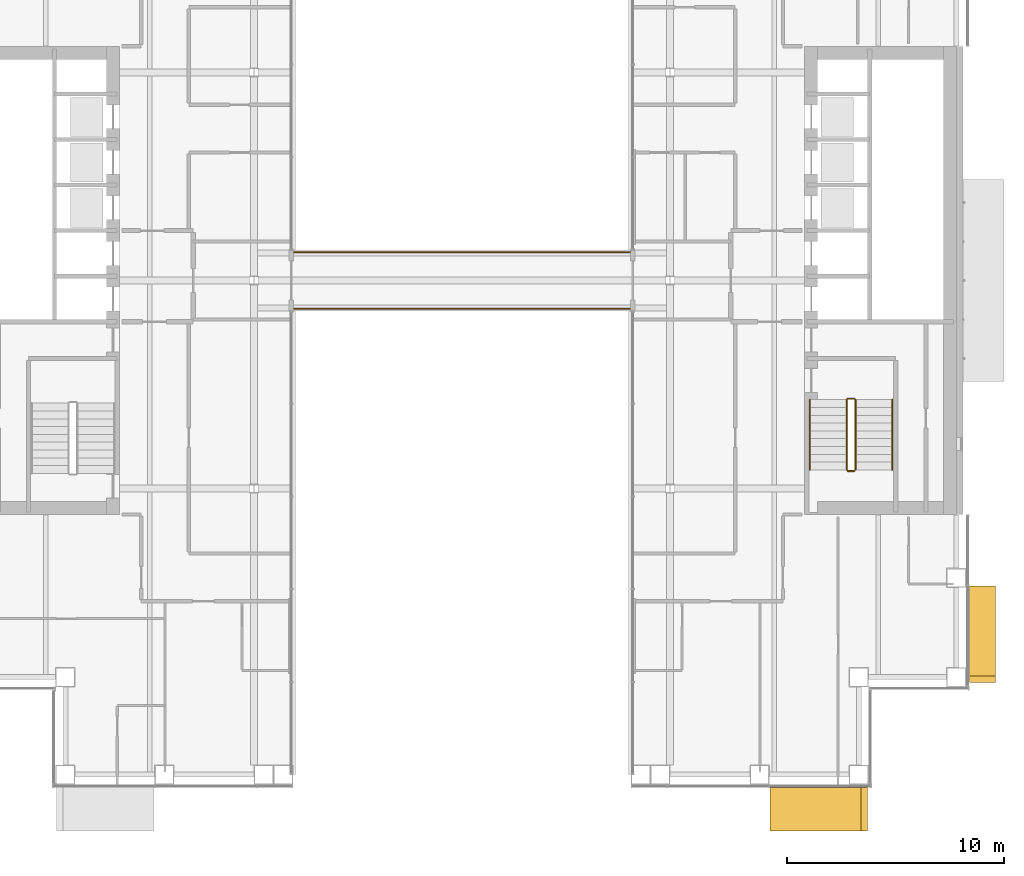
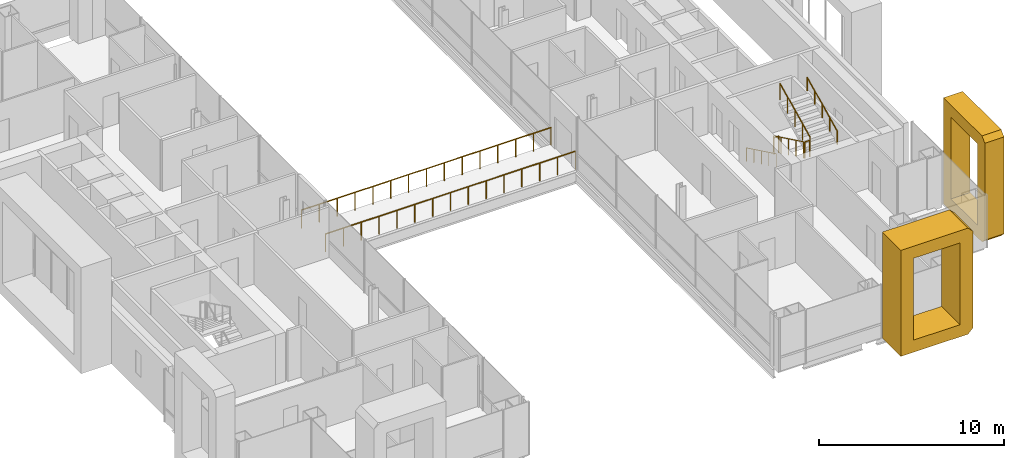
# One storey, part 17 of 20: 8 railings, 2 coverings.
"""IFC4 building model written with IfcOpenShell, lengths in metres."""

from ifc_helpers import new_model, si_unit, direction, frame, origin, origin_2d, place, context, subcontext, project, spatial, polyline, circle, outline, extrude, material, type_object, element, save


model = new_model("IFC4")

# Units and contexts
model_context = context("Model", 3, precision=1e-05, world=origin(), true_north=direction((0.0, 1.0)))
body_context = subcontext(model_context, "Body", "Model", "MODEL_VIEW")
ifc_project = project(units=[si_unit("LENGTHUNIT", "METRE"), si_unit("AREAUNIT", "SQUARE_METRE"), si_unit("VOLUMEUNIT", "CUBIC_METRE"), si_unit("PLANEANGLEUNIT", "RADIAN"), si_unit("MASSUNIT", "GRAM", prefix="KILO")], contexts=[model_context])

# Site, building, storey
site_placement = place(None, origin())
site = spatial("IfcSite", under=ifc_project, at=site_placement, CompositionType="ELEMENT")
building_placement = place(site_placement, origin())
building = spatial("IfcBuilding", under=site, at=building_placement, Name="Cobrizo Arcos Hotel Tower", CompositionType="ELEMENT")
storey_placement = place(building_placement, frame((0.0, 0.0, 124.0)))
storey = spatial("IfcBuildingStorey", under=building, at=storey_placement, Name="L31", CompositionType="ELEMENT", Elevation=124.0)

# Coverings
ifc_material_1 = material(Name="Aluminium 6063-T6 anodised bronze", Category="aluminium")
covering_type_1 = type_object("IfcCoveringType", Name="FIN-F 1200", PredefinedType="CLADDING", material=ifc_material_1)
covering_1_placement = place(storey_placement, frame((23.39990234375, -18.550048828125, 0.0), z_axis=(1.0, 0.0, 0.0), x_axis=(0.0, 1.0, 0.0)))
element("IfcCovering", 1, at=covering_1_placement, inside=storey, type_object=covering_type_1, Name="Fin frame 123", PredefinedType="CLADDING", context=body_context, shape_type="SweptSolid", body=[
    extrude(outline(polyline([(0.0, 0.300048828125), (0.300048828125, 0.0), (4.46240234375, 0.0), (4.46240234375, 7.0), (0.300048828125, 7.0), (0.0, 6.699951171875), (0.0, 0.300048828125)]), holes=[polyline([(3.66259765625, 0.800048828125), (0.800048828125, 0.800048828125), (0.800048828125, 6.199951171875), (3.66259765625, 6.199951171875), (3.66259765625, 0.800048828125)])]), origin(), (0.0, 0.0, 1.0), 1.2001953125),
])
covering_type_2 = type_object("IfcCoveringType", Name="FIN-F 2000", PredefinedType="CLADDING", material=ifc_material_1)
covering_2_placement = place(storey_placement, frame((14.199951171875, -23.39990234375, 0.0), z_axis=(0.0, -1.0, 0.0), x_axis=(1.0, 0.0, 0.0)))
element("IfcCovering", 2, at=covering_2_placement, inside=storey, type_object=covering_type_2, Name="Fin frame 146", PredefinedType="CLADDING", context=body_context, shape_type="SweptSolid", body=[
    extrude(outline(polyline([(0.0, 7.0), (0.0, 0.0), (4.199951171875, 0.0), (4.5, 0.300048828125), (4.5, 6.699951171875), (4.199951171875, 7.0), (0.0, 7.0)]), holes=[polyline([(3.699951171875, 0.800048828125), (0.800048828125, 0.800048828125), (0.800048828125, 6.199951171875), (3.699951171875, 6.199951171875), (3.699951171875, 0.800048828125)])]), origin(), (0.0, 0.0, 1.0), 2.0),
])

# Railings
ifc_material_2 = material(Name="Stainless steel railing", Category="steel")
railing_type_1 = type_object("IfcRailingType", Name="Sky bridge guard 1200", PredefinedType="GUARDRAIL", material=ifc_material_2)
railing_1_placement = place(storey_placement, frame((-7.800048828125, 1.300048828125, 0.0)))
element("IfcRailing", 3, at=railing_1_placement, inside=storey, type_object=railing_type_1, Name="Sky bridge north guard", PredefinedType="GUARDRAIL", context=body_context, shape_type="SweptSolid", body=[
    extrude(circle(Radius=0.02392578125, at=origin_2d()), frame((0.0, 0.0, 1.17578125), z_axis=(1.0, 0.0, 0.0), x_axis=(0.0, 1.0, 0.0)), (0.0, 0.0, 1.0), 15.60009765625),
    extrude(circle(Radius=0.02099609375, at=origin_2d()), origin(), (0.0, 0.0, 1.0), 1.15185546875),
    extrude(circle(Radius=0.02099609375, at=origin_2d()), frame((1.1142578125, 0.0, 0.0)), (0.0, 0.0, 1.0), 1.15185546875),
    extrude(circle(Radius=0.02099609375, at=origin_2d()), frame((2.228515625, 0.0, 0.0)), (0.0, 0.0, 1.0), 1.15185546875),
    extrude(circle(Radius=0.02099609375, at=origin_2d()), frame((3.3427734375, 0.0, 0.0)), (0.0, 0.0, 1.0), 1.15185546875),
    extrude(circle(Radius=0.02099609375, at=origin_2d()), frame((4.457275390625, 0.0, 0.0)), (0.0, 0.0, 1.0), 1.15185546875),
    extrude(circle(Radius=0.02099609375, at=origin_2d()), frame((5.571533203125, 0.0, 0.0)), (0.0, 0.0, 1.0), 1.15185546875),
    extrude(circle(Radius=0.02099609375, at=origin_2d()), frame((6.685791015625, 0.0, 0.0)), (0.0, 0.0, 1.0), 1.15185546875),
    extrude(circle(Radius=0.02099609375, at=origin_2d()), frame((7.800048828125, 0.0, 0.0)), (0.0, 0.0, 1.0), 1.15185546875),
    extrude(circle(Radius=0.02099609375, at=origin_2d()), frame((8.914306640625, 0.0, 0.0)), (0.0, 0.0, 1.0), 1.15185546875),
    extrude(circle(Radius=0.02099609375, at=origin_2d()), frame((10.028564453125, 0.0, 0.0)), (0.0, 0.0, 1.0), 1.15185546875),
    extrude(circle(Radius=0.02099609375, at=origin_2d()), frame((11.142822265625, 0.0, 0.0)), (0.0, 0.0, 1.0), 1.15185546875),
    extrude(circle(Radius=0.02099609375, at=origin_2d()), frame((12.25732421875, 0.0, 0.0)), (0.0, 0.0, 1.0), 1.15185546875),
    extrude(circle(Radius=0.02099609375, at=origin_2d()), frame((13.37158203125, 0.0, 0.0)), (0.0, 0.0, 1.0), 1.15185546875),
    extrude(circle(Radius=0.02099609375, at=origin_2d()), frame((14.48583984375, 0.0, 0.0)), (0.0, 0.0, 1.0), 1.15185546875),
    extrude(circle(Radius=0.02099609375, at=origin_2d()), frame((15.60009765625, 0.0, 0.0)), (0.0, 0.0, 1.0), 1.15185546875),
])
railing_2_placement = place(storey_placement, frame((-7.800048828125, -1.300048828125, 0.0)))
element("IfcRailing", 4, at=railing_2_placement, inside=storey, type_object=railing_type_1, Name="Sky bridge south guard", PredefinedType="GUARDRAIL", context=body_context, shape_type="SweptSolid", body=[
    extrude(circle(Radius=0.02392578125, at=origin_2d()), frame((0.0, 0.0, 1.17578125), z_axis=(1.0, 0.0, 0.0), x_axis=(0.0, 1.0, 0.0)), (0.0, 0.0, 1.0), 15.60009765625),
    extrude(circle(Radius=0.02099609375, at=origin_2d()), origin(), (0.0, 0.0, 1.0), 1.15185546875),
    extrude(circle(Radius=0.02099609375, at=origin_2d()), frame((1.1142578125, 0.0, 0.0)), (0.0, 0.0, 1.0), 1.15185546875),
    extrude(circle(Radius=0.02099609375, at=origin_2d()), frame((2.228515625, 0.0, 0.0)), (0.0, 0.0, 1.0), 1.15185546875),
    extrude(circle(Radius=0.02099609375, at=origin_2d()), frame((3.3427734375, 0.0, 0.0)), (0.0, 0.0, 1.0), 1.15185546875),
    extrude(circle(Radius=0.02099609375, at=origin_2d()), frame((4.457275390625, 0.0, 0.0)), (0.0, 0.0, 1.0), 1.15185546875),
    extrude(circle(Radius=0.02099609375, at=origin_2d()), frame((5.571533203125, 0.0, 0.0)), (0.0, 0.0, 1.0), 1.15185546875),
    extrude(circle(Radius=0.02099609375, at=origin_2d()), frame((6.685791015625, 0.0, 0.0)), (0.0, 0.0, 1.0), 1.15185546875),
    extrude(circle(Radius=0.02099609375, at=origin_2d()), frame((7.800048828125, 0.0, 0.0)), (0.0, 0.0, 1.0), 1.15185546875),
    extrude(circle(Radius=0.02099609375, at=origin_2d()), frame((8.914306640625, 0.0, 0.0)), (0.0, 0.0, 1.0), 1.15185546875),
    extrude(circle(Radius=0.02099609375, at=origin_2d()), frame((10.028564453125, 0.0, 0.0)), (0.0, 0.0, 1.0), 1.15185546875),
    extrude(circle(Radius=0.02099609375, at=origin_2d()), frame((11.142822265625, 0.0, 0.0)), (0.0, 0.0, 1.0), 1.15185546875),
    extrude(circle(Radius=0.02099609375, at=origin_2d()), frame((12.25732421875, 0.0, 0.0)), (0.0, 0.0, 1.0), 1.15185546875),
    extrude(circle(Radius=0.02099609375, at=origin_2d()), frame((13.37158203125, 0.0, 0.0)), (0.0, 0.0, 1.0), 1.15185546875),
    extrude(circle(Radius=0.02099609375, at=origin_2d()), frame((14.48583984375, 0.0, 0.0)), (0.0, 0.0, 1.0), 1.15185546875),
    extrude(circle(Radius=0.02099609375, at=origin_2d()), frame((15.60009765625, 0.0, 0.0)), (0.0, 0.0, 1.0), 1.15185546875),
])
railing_type_2 = type_object("IfcRailingType", Name="Stair guard 1100", PredefinedType="GUARDRAIL", material=ifc_material_2)
railing_3_placement = place(storey_placement, frame((17.75, -5.5, 0.175048828125)))
element("IfcRailing", 5, at=railing_3_placement, inside=storey, type_object=railing_type_2, Name="L31 ST-E stair guard 1", PredefinedType="GUARDRAIL", context=body_context, shape_type="SweptSolid", body=[
    extrude(circle(Radius=0.02392578125, at=origin_2d()), frame((0.0, 0.0, 1.076171875), z_axis=(0.0, -0.899372665325, 0.437182809435), x_axis=(1.0, 0.0, 0.0)), (0.0, 0.0, 1.0), 3.6025390625),
    extrude(circle(Radius=0.02099609375, at=origin_2d()), origin(), (0.0, 0.0, 1.0), 1.052001953125),
    extrude(circle(Radius=0.02099609375, at=origin_2d()), frame((0.0, -0.81005859375, 0.393798828125)), (0.0, 0.0, 1.0), 1.052001953125),
    extrude(circle(Radius=0.02099609375, at=origin_2d()), frame((0.0, -1.6201171875, 0.78759765625)), (0.0, 0.0, 1.0), 1.052001953125),
    extrude(circle(Radius=0.02099609375, at=origin_2d()), frame((0.0, -2.429931640625, 1.18115234375)), (0.0, 0.0, 1.0), 1.052001953125),
    extrude(circle(Radius=0.02099609375, at=origin_2d()), frame((0.0, -3.239990234375, 1.574951171875)), (0.0, 0.0, 1.0), 1.052001953125),
])
railing_4_placement = place(storey_placement, frame((17.800048828125, -8.7900390625, 1.75)))
element("IfcRailing", 6, at=railing_4_placement, inside=storey, type_object=railing_type_2, Name="L31 ST-E stair guard 2", PredefinedType="GUARDRAIL", context=body_context, shape_type="SweptSolid", body=[
    extrude(circle(Radius=0.02392578125, at=origin_2d()), frame((0.0, 0.0, 1.076171875), z_axis=(1.0, 0.0, 0.0), x_axis=(0.0, 1.0, 0.0)), (0.0, 0.0, 1.0), 0.300048828125),
    extrude(circle(Radius=0.02099609375, at=origin_2d()), origin(), (0.0, 0.0, 1.0), 1.052001953125),
    extrude(circle(Radius=0.02099609375, at=origin_2d()), frame((0.300048828125, 0.0, 0.0)), (0.0, 0.0, 1.0), 1.052001953125),
])
railing_5_placement = place(storey_placement, frame((18.14990234375, -8.739990234375, 1.925048828125)))
element("IfcRailing", 7, at=railing_5_placement, inside=storey, type_object=railing_type_2, Name="L31 ST-E stair guard 3", PredefinedType="GUARDRAIL", context=body_context, shape_type="SweptSolid", body=[
    extrude(circle(Radius=0.02392578125, at=origin_2d()), frame((0.0, 0.0, 1.076171875), z_axis=(0.0, 0.899372665325, 0.437182809435), x_axis=(-1.0, 0.0, 0.0)), (0.0, 0.0, 1.0), 3.6025390625),
    extrude(circle(Radius=0.02099609375, at=origin_2d()), origin(), (0.0, 0.0, 1.0), 1.052001953125),
    extrude(circle(Radius=0.02099609375, at=origin_2d()), frame((0.0, 0.81005859375, 0.393798828125)), (0.0, 0.0, 1.0), 1.052001953125),
    extrude(circle(Radius=0.02099609375, at=origin_2d()), frame((0.0, 1.6201171875, 0.78759765625)), (0.0, 0.0, 1.0), 1.052001953125),
    extrude(circle(Radius=0.02099609375, at=origin_2d()), frame((0.0, 2.429931640625, 1.18115234375)), (0.0, 0.0, 1.0), 1.052001953125),
    extrude(circle(Radius=0.02099609375, at=origin_2d()), frame((0.0, 3.239990234375, 1.574951171875)), (0.0, 0.0, 1.0), 1.052001953125),
])
railing_6_placement = place(storey_placement, frame((17.800048828125, -5.449951171875, 0.0)))
element("IfcRailing", 8, at=railing_6_placement, inside=storey, type_object=railing_type_2, Name="L31 ST-E stair guard 4", PredefinedType="GUARDRAIL", context=body_context, shape_type="SweptSolid", body=[
    extrude(circle(Radius=0.02392578125, at=origin_2d()), frame((0.0, 0.0, 1.076171875), z_axis=(1.0, 0.0, 0.0), x_axis=(0.0, 1.0, 0.0)), (0.0, 0.0, 1.0), 0.300048828125),
    extrude(circle(Radius=0.02099609375, at=origin_2d()), origin(), (0.0, 0.0, 1.0), 1.052001953125),
    extrude(circle(Radius=0.02099609375, at=origin_2d()), frame((0.300048828125, 0.0, 0.0)), (0.0, 0.0, 1.0), 1.052001953125),
])
railing_type_3 = type_object("IfcRailingType", Name="Stair handrail", PredefinedType="HANDRAIL", material=ifc_material_2)
railing_7_placement = place(storey_placement, frame((16.050048828125, -5.5, 0.175048828125)))
element("IfcRailing", 9, at=railing_7_placement, inside=storey, type_object=railing_type_3, Name="L31 ST-E stair handrail 1", PredefinedType="HANDRAIL", context=body_context, shape_type="SweptSolid", body=[
    extrude(circle(Radius=0.02392578125, at=origin_2d()), frame((0.0, 0.0, 0.8759765625), z_axis=(0.0, -0.899372665325, 0.437182809435), x_axis=(1.0, 0.0, 0.0)), (0.0, 0.0, 1.0), 3.6025390625),
    extrude(circle(Radius=0.02099609375, at=origin_2d()), origin(), (0.0, 0.0, 1.0), 0.851806640625),
    extrude(circle(Radius=0.02099609375, at=origin_2d()), frame((0.0, -0.81005859375, 0.393798828125)), (0.0, 0.0, 1.0), 0.851806640625),
    extrude(circle(Radius=0.02099609375, at=origin_2d()), frame((0.0, -1.6201171875, 0.78759765625)), (0.0, 0.0, 1.0), 0.851806640625),
    extrude(circle(Radius=0.02099609375, at=origin_2d()), frame((0.0, -2.429931640625, 1.18115234375)), (0.0, 0.0, 1.0), 0.851806640625),
    extrude(circle(Radius=0.02099609375, at=origin_2d()), frame((0.0, -3.239990234375, 1.574951171875)), (0.0, 0.0, 1.0), 0.851806640625),
])
railing_8_placement = place(storey_placement, frame((19.85009765625, -8.739990234375, 1.925048828125)))
element("IfcRailing", 10, at=railing_8_placement, inside=storey, type_object=railing_type_3, Name="L31 ST-E stair handrail 2", PredefinedType="HANDRAIL", context=body_context, shape_type="SweptSolid", body=[
    extrude(circle(Radius=0.02392578125, at=origin_2d()), frame((0.0, 0.0, 0.8759765625), z_axis=(0.0, 0.899372665325, 0.437182809435), x_axis=(-1.0, 0.0, 0.0)), (0.0, 0.0, 1.0), 3.6025390625),
    extrude(circle(Radius=0.02099609375, at=origin_2d()), origin(), (0.0, 0.0, 1.0), 0.851806640625),
    extrude(circle(Radius=0.02099609375, at=origin_2d()), frame((0.0, 0.81005859375, 0.393798828125)), (0.0, 0.0, 1.0), 0.851806640625),
    extrude(circle(Radius=0.02099609375, at=origin_2d()), frame((0.0, 1.6201171875, 0.78759765625)), (0.0, 0.0, 1.0), 0.851806640625),
    extrude(circle(Radius=0.02099609375, at=origin_2d()), frame((0.0, 2.429931640625, 1.18115234375)), (0.0, 0.0, 1.0), 0.851806640625),
    extrude(circle(Radius=0.02099609375, at=origin_2d()), frame((0.0, 3.239990234375, 1.574951171875)), (0.0, 0.0, 1.0), 0.851806640625),
])

save(model, "model.ifc")
